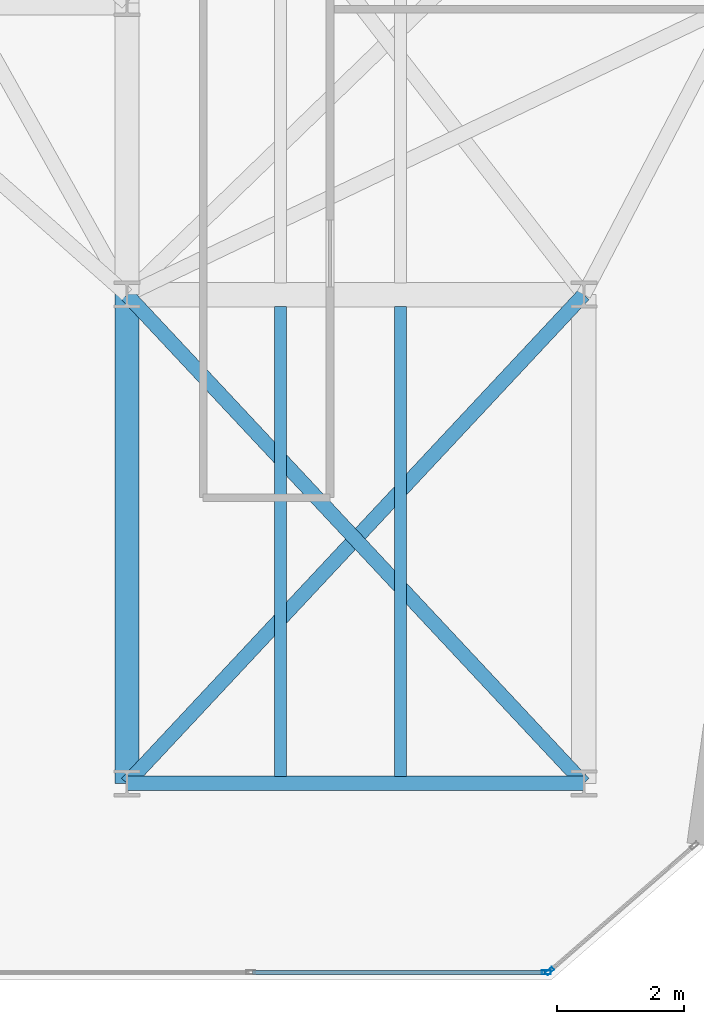
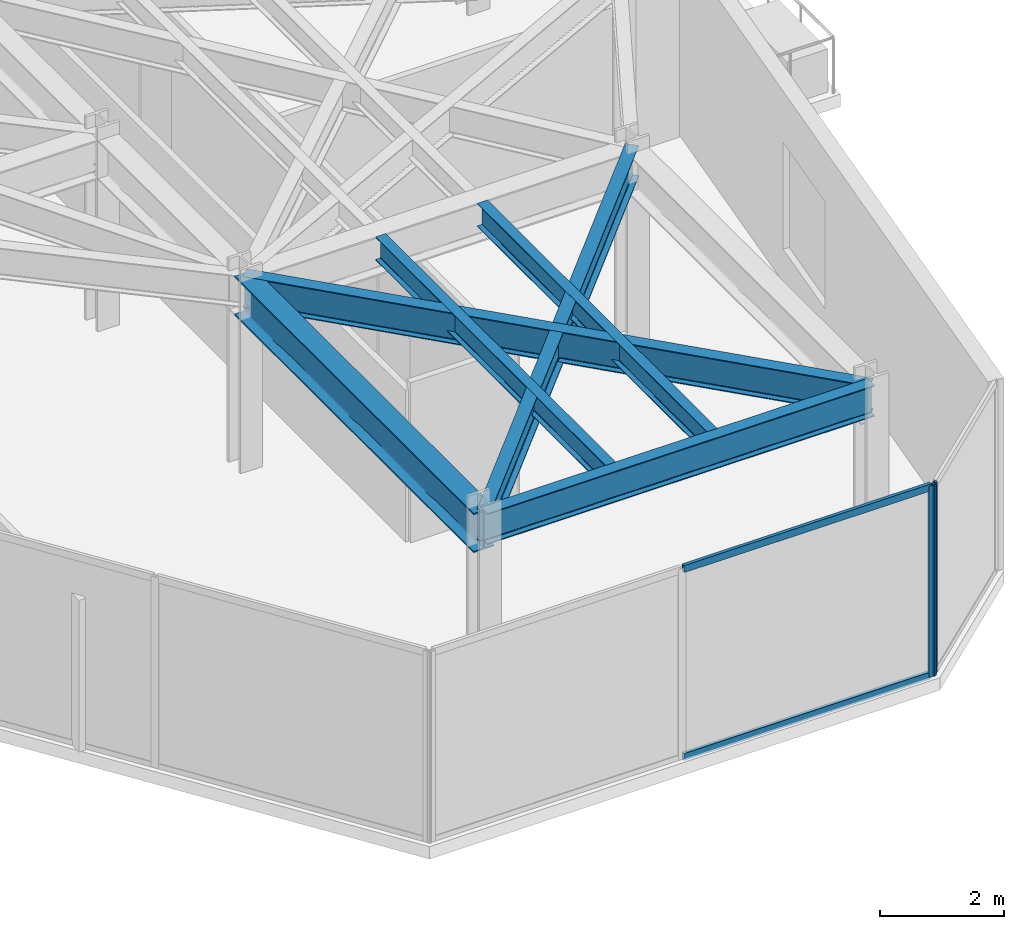
# One storey, part 11 of 21: 6 beams, 4 members, 2 elements without a shape of their own.
"""IFC4 building model written with IfcOpenShell, lengths in metres."""

import ifcopenshell
import ifcopenshell.guid

model = None  # the IFC model being written
_history = None  # IfcOwnerHistory: only IFC2X3 demands one
_inside = {}  # id of a spatial element -> (the spatial element, [elements in it])
_under = {}  # id of a project, library or spatial element -> (it, [spatial elements below it])
_declared = {}  # id of a project -> (the project, [libraries it declares])
_typed = {}  # id of a type object -> (the type object, [elements of that type])
_made_of = {}  # id of a material, layer set ... -> (it, [elements and type objects made of it])


def new_model(schema):
    """Start an empty IFC model of exactly this schema.

    Asked for "IFC4X3", IfcOpenShell would pick the latest addendum, in which some entities
    have other attributes; the version numbers below select the first issue.
    IFC2X3 requires an IfcOwnerHistory on every rooted entity: one is made here for all.
    """
    global model, _history
    if schema == "IFC4X3":
        model = ifcopenshell.file(schema_version=(4, 3, 0, 0))
    else:
        model = ifcopenshell.file(schema=schema)
    _inside.clear()
    _under.clear()
    _declared.clear()
    _typed.clear()
    _made_of.clear()
    _history = None
    if model.schema == "IFC2X3":
        org = make("IfcOrganization", Name="unknown")
        user = make(
            "IfcPersonAndOrganization",
            ThePerson=make("IfcPerson", FamilyName="unknown"),
            TheOrganization=org,
        )
        app = make(
            "IfcApplication",
            ApplicationDeveloper=org,
            Version="unknown",
            ApplicationFullName="unknown",
            ApplicationIdentifier="unknown",
        )
        _history = make(
            "IfcOwnerHistory",
            OwningUser=user,
            OwningApplication=app,
            ChangeAction="ADDED",
            CreationDate=0,
        )
    return model


def make(cls, **values):
    """One entity of the class cls with the attributes given. An attribute that is None is left unset."""
    return model.create_entity(
        cls, **{name: value for name, value in values.items() if value is not None}
    )


def rooted(cls, **values):
    """An entity with a GlobalId (a new one), such as an element, a storey or a relation."""
    return make(cls, GlobalId=ifcopenshell.guid.new(), OwnerHistory=_history, **values)


def si_unit(unit_type, name, prefix=None):
    """IfcSIUnit, for example si_unit("LENGTHUNIT", "METRE", prefix="MILLI")."""
    return make("IfcSIUnit", UnitType=unit_type, Prefix=prefix, Name=name)


def assignment(units):
    """IfcUnitAssignment: the units of a project."""
    return None if units is None else make("IfcUnitAssignment", Units=units)


def point(xyz):
    """IfcCartesianPoint."""
    return None if xyz is None else make("IfcCartesianPoint", Coordinates=xyz)


def direction(xyz):
    """IfcDirection."""
    return None if xyz is None else make("IfcDirection", DirectionRatios=xyz)


def frame(location, z_axis=None, x_axis=None):
    """IfcAxis2Placement3D, a coordinate frame: its origin and axes. An axis left out is left unset."""
    return make(
        "IfcAxis2Placement3D",
        Location=point(location),
        Axis=direction(z_axis),
        RefDirection=direction(x_axis),
    )


def frame_2d(location, x_axis=None):
    """IfcAxis2Placement2D, a coordinate frame in the plane: its origin and x axis."""
    return make(
        "IfcAxis2Placement2D", Location=point(location), RefDirection=direction(x_axis)
    )


def origin():
    """The frame at (0, 0, 0) with its axes left unset."""
    return frame((0.0, 0.0, 0.0))


def origin_2d():
    """The frame at (0, 0) in the plane with its x axis left unset."""
    return frame_2d((0.0, 0.0))


def place(relative_to, where):
    """IfcLocalPlacement: puts the frame where relative to a parent placement (None: the world)."""
    return make(
        "IfcLocalPlacement", PlacementRelTo=relative_to, RelativePlacement=where
    )


def context(
    kind, dimensions, precision=None, world=None, true_north=None, identifier=None
):
    """IfcGeometricRepresentationContext, for example the 3D "Model" context."""
    return make(
        "IfcGeometricRepresentationContext",
        ContextIdentifier=identifier,
        ContextType=kind,
        CoordinateSpaceDimension=dimensions,
        Precision=precision,
        WorldCoordinateSystem=world,
        TrueNorth=true_north,
    )


def subcontext(parent, identifier, kind, view, scale=None):
    """IfcGeometricRepresentationSubContext, for example "Body" below "Model"."""
    return make(
        "IfcGeometricRepresentationSubContext",
        ContextIdentifier=identifier,
        ContextType=kind,
        ParentContext=parent,
        TargetScale=scale,
        TargetView=view,
    )


def project(units=None, contexts=None):
    """IfcProject with its units and contexts."""
    return rooted(
        "IfcProject",
        Name="project",
        RepresentationContexts=contexts,
        UnitsInContext=assignment(units),
    )


def spatial(cls, under=None, at=None, **own):
    """A site, building, storey or space (cls), placed at a placement, below another one or the project."""
    s = rooted(cls, ObjectPlacement=at, **own)
    if under is not None:
        _under.setdefault(under.id(), (under, []))[1].append(s)
    return s


def profile(cls, at=None, kind="AREA", **sizes):
    """A parametric profile (cls). Its sizes go by their IFC names, for example OverallWidth=200.0."""
    return make(cls, ProfileType=kind, Position=at, **sizes)


def hollow_rectangle(**sizes):
    """IfcRectangleHollowProfileDef."""
    return profile("IfcRectangleHollowProfileDef", **sizes)


def i_section(**sizes):
    """IfcIShapeProfileDef."""
    return profile("IfcIShapeProfileDef", **sizes)


def extrude(swept, where, along, depth):
    """IfcExtrudedAreaSolid: the profile swept, set in the frame where, extruded along a direction by depth."""
    return make(
        "IfcExtrudedAreaSolid",
        SweptArea=swept,
        Position=where,
        ExtrudedDirection=direction(along),
        Depth=depth,
    )


def shape(context_of_items, identifier, shape_type, items):
    """IfcShapeRepresentation: the items that make up one representation, for example the "Body"."""
    return make(
        "IfcShapeRepresentation",
        ContextOfItems=context_of_items,
        RepresentationIdentifier=identifier,
        RepresentationType=shape_type,
        Items=items,
    )


def material(Name=None, Category=None):
    """IfcMaterial."""
    return make("IfcMaterial", Name=Name, Category=Category)


def layer(
    of_material, thickness, ventilated=None, Name=None, Category=None, Priority=None
):
    """IfcMaterialLayer: one layer of a wall or slab, of a material (None: an air gap)."""
    return make(
        "IfcMaterialLayer",
        Material=of_material,
        LayerThickness=thickness,
        IsVentilated=ventilated,
        Name=Name,
        Category=Category,
        Priority=Priority,
    )


def layer_set(layers, Name=None):
    """IfcMaterialLayerSet."""
    return make("IfcMaterialLayerSet", MaterialLayers=layers, LayerSetName=Name)


def material_profile(
    of_material, cross_section, Name=None, Category=None, Priority=None
):
    """IfcMaterialProfile: a cross section and its material."""
    return make(
        "IfcMaterialProfile",
        Name=Name,
        Material=of_material,
        Profile=cross_section,
        Priority=Priority,
        Category=Category,
    )


def profile_set(profiles, Name=None, composite=None):
    """IfcMaterialProfileSet."""
    return make(
        "IfcMaterialProfileSet",
        Name=Name,
        MaterialProfiles=profiles,
        CompositeProfile=composite,
    )


def made_of(thing, what):
    """Note that an element or type object is made of a material, layer set ...; save() writes the relation."""
    if what is not None:
        _made_of.setdefault(what.id(), (what, []))[1].append(thing)
    return thing


def type_object(cls, material=None, **own):
    """A type object (cls), such as IfcWallType, which elements share."""
    return made_of(rooted(cls, **own), material)


def element(
    cls,
    number,
    at=None,
    inside=None,
    cuts=None,
    type_object=None,
    material=None,
    context=None,
    identifier="Body",
    shape_type=None,
    held_by="IfcProductDefinitionShape",
    body=None,
    shapes=None,
    **own,
):
    """One element of the class cls, such as IfcWall. Its Tag is "e" and its number.

    at: its placement. inside: the storey or other place that contains it. cuts: it is an
    opening in that element (IfcRelVoidsElement). A single representation is given by context,
    identifier, shape_type and body (its items); several are given by shapes. held_by: the class
    of the entity that holds the representations. save() writes the other relations.
    """
    e = rooted(cls, Tag="e%d" % number, ObjectPlacement=at, **own)
    if body is not None:
        shapes = [shape(context, identifier, shape_type, body)]
    if shapes is not None:
        e.Representation = make(held_by, Representations=shapes)
    if inside is not None:
        _inside.setdefault(inside.id(), (inside, []))[1].append(e)
    if cuts is not None:
        rooted(
            "IfcRelVoidsElement", RelatingBuildingElement=cuts, RelatedOpeningElement=e
        )
    if type_object is not None:
        _typed.setdefault(type_object.id(), (type_object, []))[1].append(e)
    return made_of(e, material)


def aggregate(whole, parts):
    """IfcRelAggregates: a whole, such as a stair, and the parts it consists of."""
    return rooted("IfcRelAggregates", RelatingObject=whole, RelatedObjects=parts)


def save(model, path):
    """Write the relations noted so far, then the file.

    IfcRelAggregates (storeys below a building ...), IfcRelContainedInSpatialStructure (elements
    in a storey), IfcRelDefinesByType, IfcRelAssociatesMaterial and IfcRelDeclares: one each for
    every whole, place, type object, material and project.
    """
    for whole, parts in _under.values():
        aggregate(whole, parts)
    for where, things in _inside.values():
        rooted(
            "IfcRelContainedInSpatialStructure",
            RelatedElements=things,
            RelatingStructure=where,
        )
    for kind, things in _typed.values():
        rooted("IfcRelDefinesByType", RelatedObjects=things, RelatingType=kind)
    for what, things in _made_of.values():
        rooted("IfcRelAssociatesMaterial", RelatedObjects=things, RelatingMaterial=what)
    for by, libraries in _declared.values():
        rooted("IfcRelDeclares", RelatingContext=by, RelatedDefinitions=libraries)
    model.write(path)


model = new_model("IFC4")

# Units and contexts
model_context = context("Model", 3, precision=1e-05, world=origin(), true_north=direction((0.0, 1.0)))
body_context = subcontext(model_context, "Body", "Model", "MODEL_VIEW")
ifc_project = project(units=[si_unit("LENGTHUNIT", "METRE"), si_unit("AREAUNIT", "SQUARE_METRE"), si_unit("VOLUMEUNIT", "CUBIC_METRE"), si_unit("PLANEANGLEUNIT", "RADIAN"), si_unit("MASSUNIT", "GRAM", prefix="KILO")], contexts=[model_context])

# Site, building, storey
site_placement = place(None, origin())
site = spatial("IfcSite", under=ifc_project, at=site_placement, CompositionType="ELEMENT")
building_placement = place(site_placement, origin())
building = spatial("IfcBuilding", under=site, at=building_placement, Name="Kravanh Interchange Tower", CompositionType="ELEMENT")
storey_placement = place(building_placement, frame((0.0, 0.0, 184.5)))
storey = spatial("IfcBuildingStorey", under=building, at=storey_placement, Name="L44", CompositionType="ELEMENT", Elevation=184.5)

# Curtain wall, member
ifc_material_1 = material(Name="Anodised Bronze Aluminium", Category="aluminium")
ifc_layer = layer(ifc_material_1, 0.179931640625)
ifc_layer_set = layer_set([ifc_layer], Name="Unitised Curtain Wall System CW-Z3 Upper Office")
curtain_wall_type = type_object("IfcCurtainWallType", Name="Unitised Curtain Wall System CW-Z3 Upper Office", PredefinedType="NOTDEFINED", material=ifc_layer_set)
curtain_wall_1_placement = place(storey_placement, origin())
curtain_wall_1 = element("IfcCurtainWall", 1, at=curtain_wall_1_placement, inside=storey, type_object=curtain_wall_type, Name="L44 Unitised Curtain Wall CW-L44-01", PredefinedType="NOTDEFINED")
ifc_material_2 = material(Name="Anodised Bronze Aluminium", Category="aluminium")
ifc_material_profile_1 = material_profile(ifc_material_2, hollow_rectangle(XDim=0.06005859375, YDim=0.139892578125, WallThickness=0.00390625, at=origin_2d()), Name="ALU60X140X4")
ifc_profile_set_1 = profile_set([ifc_material_profile_1], Name="Anodised Bronze Aluminium")
member_type_1 = type_object("IfcMemberType", Name="Curtain Wall Mullion ALU60X140X4 Bronze", PredefinedType="MULLION", material=ifc_profile_set_1)
member_1_placement = place(storey_placement, frame((62.66357421875, 11.539794921875, 0.0), z_axis=(0.0, 0.0, 1.0), x_axis=(0.65605090137, -0.754716645379, 0.0)))
member_1 = element("IfcMember", 2, at=member_1_placement, type_object=member_type_1, Name="CW-Z3 mullion 2", PredefinedType="MULLION", context=body_context, shape_type="SweptSolid", body=[
    extrude(hollow_rectangle(XDim=0.06005859375, YDim=0.139892578125, WallThickness=0.00390625, at=origin_2d()), origin(), (0.0, 0.0, 1.0), 3.7548828125),
])
aggregate(curtain_wall_1, [member_1])

# Curtain wall, members
curtain_wall_2_placement = place(storey_placement, origin())
curtain_wall_2 = element("IfcCurtainWall", 3, at=curtain_wall_2_placement, inside=storey, type_object=curtain_wall_type, Name="L44 Unitised Curtain Wall CW-L44-02", PredefinedType="NOTDEFINED")
member_2_placement = place(storey_placement, frame((62.611083984375, 11.52001953125, 0.0), z_axis=(0.0, 0.0, 1.0), x_axis=(0.0, -1.0, 0.0)))
member_2 = element("IfcMember", 4, at=member_2_placement, type_object=member_type_1, Name="CW-Z3 mullion 1", PredefinedType="MULLION", context=body_context, shape_type="SweptSolid", body=[
    extrude(hollow_rectangle(XDim=0.06005859375, YDim=0.139892578125, WallThickness=0.00390625, at=origin_2d()), origin(), (0.0, 0.0, 1.0), 3.7548828125),
])
ifc_material_3 = material(Name="Anodised Bronze Aluminium", Category="aluminium")
ifc_material_profile_2 = material_profile(ifc_material_3, hollow_rectangle(XDim=0.06005859375, YDim=0.139892578125, WallThickness=0.00390625, at=origin_2d()), Name="ALU60X140X4")
ifc_profile_set_2 = profile_set([ifc_material_profile_2], Name="Anodised Bronze Aluminium")
member_type_2 = type_object("IfcMemberType", Name="Curtain Wall Transom ALU60X140X4 Bronze", PredefinedType="USERDEFINED", material=ifc_profile_set_2)
member_3_placement = place(storey_placement, frame((62.5810546875, 11.52001953125, 0.030029296875), z_axis=(-1.0, 0.0, 0.0), x_axis=(0.0, -1.0, 0.0)))
member_3 = element("IfcMember", 5, at=member_3_placement, type_object=member_type_2, Name="CW-Z3 transom 1.1", ObjectType="TRANSOM", PredefinedType="USERDEFINED", context=body_context, shape_type="SweptSolid", body=[
    extrude(hollow_rectangle(XDim=0.06005859375, YDim=0.139892578125, WallThickness=0.00390625, at=origin_2d()), origin(), (0.0, 0.0, 1.0), 4.59912109375),
])
member_4_placement = place(storey_placement, frame((62.5810546875, 11.52001953125, 3.72509765625), z_axis=(-1.0, 0.0, 0.0), x_axis=(0.0, -1.0, 0.0)))
member_4 = element("IfcMember", 6, at=member_4_placement, type_object=member_type_2, Name="CW-Z3 transom 1.2", ObjectType="TRANSOM", PredefinedType="USERDEFINED", context=body_context, shape_type="SweptSolid", body=[
    extrude(hollow_rectangle(XDim=0.06005859375, YDim=0.139892578125, WallThickness=0.00390625, at=origin_2d()), origin(), (0.0, 0.0, 1.0), 4.59912109375),
])
aggregate(curtain_wall_2, [member_2, member_3, member_4])

# Beams
ifc_material_4 = material(Name="Structural Steel S355", Category="steel")
ifc_material_profile_3 = material_profile(ifc_material_4, i_section(OverallWidth=0.381103515625, OverallDepth=0.77294921875, WebThickness=0.0166015625, FlangeThickness=0.027099609375, FilletRadius=0.02490234375, at=origin_2d()), Name="W30X173")
ifc_profile_set_3 = profile_set([ifc_material_profile_3], Name="Structural Steel S355")
beam_type_1 = type_object("IfcBeamType", Name="Floor Beam W30X173 Structural Steel S355", PredefinedType="BEAM", material=ifc_profile_set_3)
beam_1_placement = place(storey_placement, frame((56.0, 14.5, 3.368408203125), z_axis=(0.0, 1.0, 0.0), x_axis=(-1.0, 0.0, 0.0)))
element("IfcBeam", 7, at=beam_1_placement, inside=storey, type_object=beam_type_1, Name="L44 Primary Floor Girder 87", PredefinedType="BEAM", context=body_context, shape_type="SweptSolid", body=[
    extrude(i_section(OverallWidth=0.381103515625, OverallDepth=0.77294921875, WebThickness=0.0166015625, FlangeThickness=0.027099609375, FilletRadius=0.02490234375, at=origin_2d()), origin(), (0.0, 0.0, 1.0), 7.699951171875),
])
ifc_material_5 = material(Name="Structural Steel S355", Category="steel")
ifc_material_profile_4 = material_profile(ifc_material_5, i_section(OverallWidth=0.18994140625, OverallDepth=0.45703125, WebThickness=0.009033203125, FlangeThickness=0.014404296875, FilletRadius=0.01806640625, at=origin_2d()), Name="W18X50")
ifc_profile_set_4 = profile_set([ifc_material_profile_4], Name="Structural Steel S355")
beam_type_2 = type_object("IfcBeamType", Name="Floor Joist W18X50 Structural Steel S355", PredefinedType="JOIST", material=ifc_profile_set_4)
for number, where, z_axis, x_axis, name in (
    (8, (58.419921875, 14.60888671875, 3.526611328125), (0.0, 1.0, 0.0), (-1.0, 0.0, 0.0), "L44 Secondary Floor Joist 3"),
    (9, (60.30810546875, 14.60888671875, 3.526611328125), (0.0, 1.0, 0.0), (-1.0, 0.0, 0.0), "L44 Secondary Floor Joist 4"),
):
    element("IfcBeam", number, at=place(storey_placement, frame(where, z_axis=z_axis, x_axis=x_axis)), inside=storey, type_object=beam_type_2, Name=name, PredefinedType="JOIST", context=body_context, shape_type="SweptSolid", body=[
        extrude(i_section(OverallWidth=0.18994140625, OverallDepth=0.45703125, WebThickness=0.009033203125, FlangeThickness=0.014404296875, FilletRadius=0.01806640625, at=origin_2d()), origin(), (0.0, 0.0, 1.0), 7.405517578125),
    ])
ifc_material_6 = material(Name="Structural Steel S355", Category="steel")
ifc_material_profile_5 = material_profile(ifc_material_6, i_section(OverallWidth=0.22802734375, OverallDepth=0.60791015625, WebThickness=0.01123046875, FlangeThickness=0.017333984375, FilletRadius=0.02197265625, at=origin_2d()), Name="W24X76")
ifc_profile_set_5 = profile_set([ifc_material_profile_5], Name="Structural Steel S355")
beam_type_3 = type_object("IfcBeamType", Name="Floor Spandrel W24X76 Structural Steel S355", PredefinedType="SPANDREL", material=ifc_profile_set_5)
beam_2_placement = place(storey_placement, frame((56.0, 14.5, 3.450927734375), z_axis=(1.0, 0.0, 0.0), x_axis=(0.0, 1.0, 0.0)))
element("IfcBeam", 10, at=beam_2_placement, inside=storey, type_object=beam_type_3, Name="L44 Perimeter Spandrel 86", PredefinedType="SPANDREL", context=body_context, shape_type="SweptSolid", body=[
    extrude(i_section(OverallWidth=0.22802734375, OverallDepth=0.60791015625, WebThickness=0.01123046875, FlangeThickness=0.017333984375, FilletRadius=0.02197265625, at=origin_2d()), origin(), (0.0, 0.0, 1.0), 7.199951171875),
])
for number, where, z_axis, x_axis, name in (
    (11, (56.0, 14.5, 3.450927734375), (0.682993762113, 0.73042420614, 0.0), (-0.73042420614, 0.682993762113, 0.0), "L44 Perimeter Spandrel 88"),
    (12, (63.199951171875, 14.5, 3.450927734375), (-0.682993762113, 0.73042420614, 0.0), (-0.73042420614, -0.682993762113, 0.0), "L44 Perimeter Spandrel 90"),
):
    element("IfcBeam", number, at=place(storey_placement, frame(where, z_axis=z_axis, x_axis=x_axis)), inside=storey, type_object=beam_type_3, Name=name, PredefinedType="SPANDREL", context=body_context, shape_type="SweptSolid", body=[
        extrude(i_section(OverallWidth=0.22802734375, OverallDepth=0.60791015625, WebThickness=0.01123046875, FlangeThickness=0.017333984375, FilletRadius=0.02197265625, at=origin_2d()), origin(), (0.0, 0.0, 1.0), 10.541748046875),
    ])

save(model, "model.ifc")
